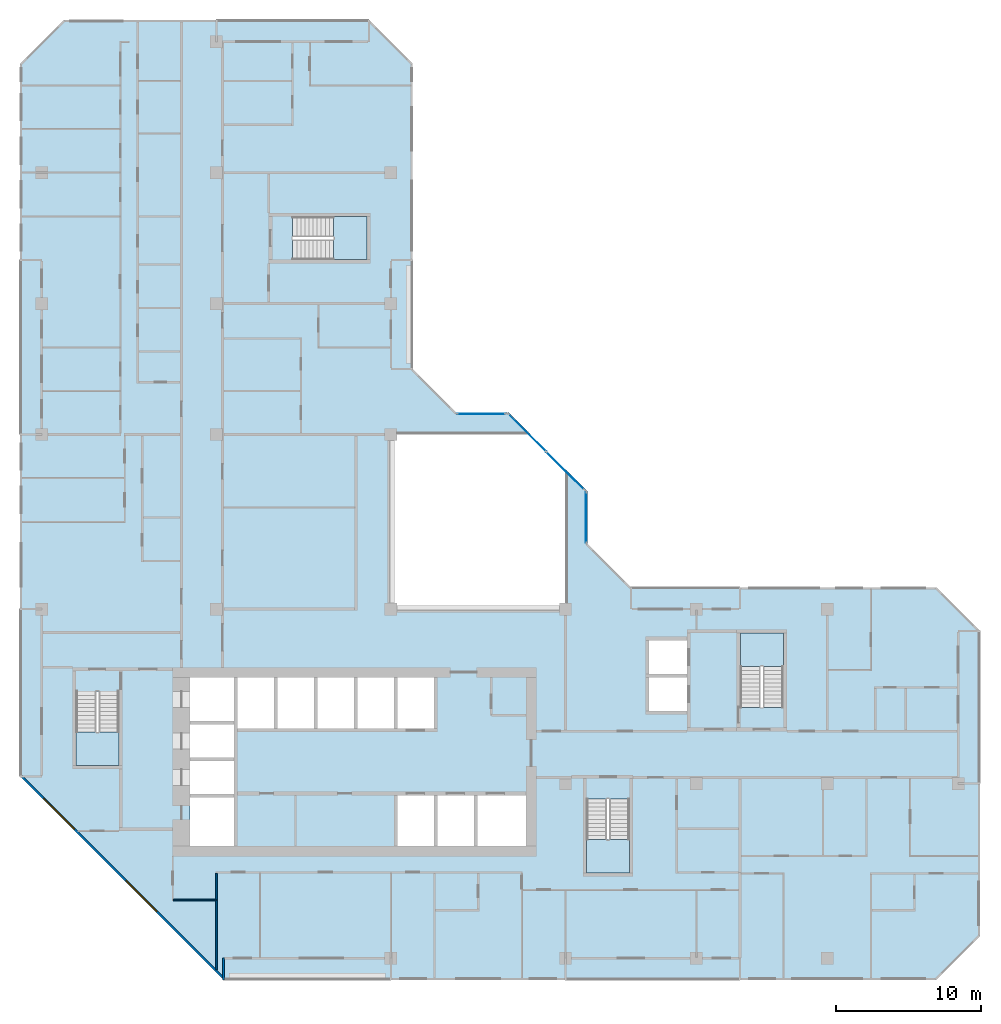
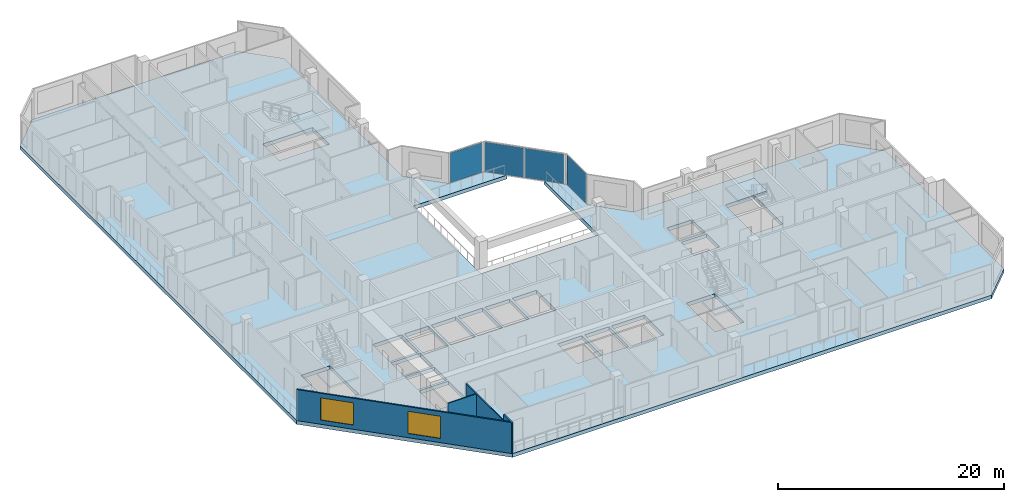
# One storey, part 3 of 15: 5 slabs, 4 plates, 4 walls, 2 windows, 2 openings, 7 elements without a shape of their own.
"""IFC4 building model written with IfcOpenShell, lengths in metres."""

from ifc_helpers import new_model, si_unit, direction, frame, frame_2d, origin, origin_2d, place, context, subcontext, project, spatial, polyline, rectangle, outline, extrude, material, layer, layer_set, type_object, element, fill, aggregate, save


model = new_model("IFC4")

# Units and contexts
model_context = context("Model", 3, precision=1e-05, world=origin(), true_north=direction((0.0, 1.0)))
body_context = subcontext(model_context, "Body", "Model", "MODEL_VIEW")
ifc_project = project(units=[si_unit("LENGTHUNIT", "METRE"), si_unit("AREAUNIT", "SQUARE_METRE"), si_unit("VOLUMEUNIT", "CUBIC_METRE"), si_unit("PLANEANGLEUNIT", "RADIAN"), si_unit("MASSUNIT", "GRAM", prefix="KILO")], contexts=[model_context])

# Site, building, storey
site_placement = place(None, origin())
site = spatial("IfcSite", under=ifc_project, at=site_placement, CompositionType="ELEMENT")
building_placement = place(site_placement, origin())
building = spatial("IfcBuilding", under=site, at=building_placement, Name="Chenar Terraces", CompositionType="ELEMENT")
storey_placement = place(building_placement, frame((0.0, 0.0, 215.39990234375)))
storey = spatial("IfcBuildingStorey", under=building, at=storey_placement, Name="L50", CompositionType="ELEMENT", Elevation=215.39990234375)

# Curtain wall, plate
ifc_material_1 = material(Name="Aluminium framed glazing", Category="aluminium")
ifc_layer_1 = layer(ifc_material_1, 0.14990234375)
ifc_layer_set_1 = layer_set([ifc_layer_1], Name="Aluminium framed glazing")
curtain_wall_type = type_object("IfcCurtainWallType", Name="Atrium mid-zone curtain wall", PredefinedType="NOTDEFINED", material=ifc_layer_set_1)
placement_1 = place(storey_placement, origin())
curtain_wall_1 = element("IfcCurtainWall", 1, at=placement_1, inside=storey, type_object=curtain_wall_type, Name="Atrium mid-zone curtain wall", PredefinedType="NOTDEFINED")
ifc_material_2 = material(Name="Low emissivity laminated glass, solar control coating", Category="glass")
ifc_layer_2 = layer(ifc_material_2, 0.031982421875)
ifc_layer_set_2 = layer_set([ifc_layer_2], Name="Low emissivity laminated glass, solar control coating")
plate_type = type_object("IfcPlateType", Name="Atrium mid-zone glazing panel 32", PredefinedType="CURTAIN_PANEL", material=ifc_layer_set_2)
plate_1_placement = place(storey_placement, frame((37.425048828125, 30.300048828125, 0.070068359375), z_axis=(0.0, 0.0, 1.0), x_axis=(0.0, 1.0, 0.0)))
plate_1 = element("IfcPlate", 2, at=plate_1_placement, type_object=plate_type, Name="CW7-1 panel 1.1", PredefinedType="CURTAIN_PANEL", context=body_context, shape_type="SweptSolid", body=[
    extrude(rectangle(XDim=3.4599609375, YDim=0.031982421875, at=origin_2d()), origin(), (0.0, 0.0, 1.0), 3.2099609375),
])
aggregate(curtain_wall_1, [plate_1])

# Curtain wall, plates
curtain_wall_2 = element("IfcCurtainWall", 3, at=placement_1, inside=storey, type_object=curtain_wall_type, Name="Atrium mid-zone curtain wall", PredefinedType="NOTDEFINED")
plate_2_placement = place(storey_placement, frame((35.978515625, 33.515380859375, 0.070068359375), z_axis=(0.0, 0.0, 1.0), x_axis=(-0.707106781187, 0.707106781187, 0.0)))
plate_2 = element("IfcPlate", 4, at=plate_2_placement, type_object=plate_type, Name="CW7-2 panel 1.1", PredefinedType="CURTAIN_PANEL", context=body_context, shape_type="SweptSolid", body=[
    extrude(rectangle(XDim=3.61328125, YDim=0.031982421875, at=origin_2d()), origin(), (0.0, 0.0, 1.0), 3.2099609375),
])
plate_3_placement = place(storey_placement, frame((33.3740234375, 36.119873046875, 0.070068359375), z_axis=(0.0, 0.0, 1.0), x_axis=(-0.707106781187, 0.707106781187, 0.0)))
plate_3 = element("IfcPlate", 5, at=plate_3_placement, type_object=plate_type, Name="CW7-2 panel 2.1", PredefinedType="CURTAIN_PANEL", context=body_context, shape_type="SweptSolid", body=[
    extrude(rectangle(XDim=3.61328125, YDim=0.031982421875, at=origin_2d()), origin(), (0.0, 0.0, 1.0), 3.2099609375),
])
aggregate(curtain_wall_2, [plate_2, plate_3])

# Curtain wall, plate
curtain_wall_3 = element("IfcCurtainWall", 6, at=placement_1, inside=storey, type_object=curtain_wall_type, Name="Atrium mid-zone curtain wall", PredefinedType="NOTDEFINED")
plate_4_placement = place(storey_placement, frame((30.199951171875, 37.425048828125, 0.070068359375), z_axis=(0.0, 0.0, 1.0), x_axis=(-1.0, 0.0, 0.0)))
plate_4 = element("IfcPlate", 7, at=plate_4_placement, type_object=plate_type, Name="CW7-3 panel 1.1", PredefinedType="CURTAIN_PANEL", context=body_context, shape_type="SweptSolid", body=[
    extrude(rectangle(XDim=3.260009765625, YDim=0.031982421875, at=origin_2d()), origin(), (0.0, 0.0, 1.0), 3.2099609375),
])
aggregate(curtain_wall_3, [plate_4])

# Stair, slab
ifc_material_3 = material(Name="Reinforced concrete C40/50", Category="concrete")
stair_type = type_object("IfcStairType", Name="Core stair 1400 half-turn", PredefinedType="HALF_TURN_STAIR", material=ifc_material_3)
stair_1 = element("IfcStair", 8, at=placement_1, inside=storey, type_object=stair_type, Name="L50 Stair 1", PredefinedType="HALF_TURN_STAIR")
ifc_material_4 = material(Name="Reinforced concrete C40/50", Category="concrete")
ifc_layer_3 = layer(ifc_material_4, 0.199951171875)
ifc_layer_set_3 = layer_set([ifc_layer_3], Name="Reinforced concrete C40/50")
slab_type_1 = type_object("IfcSlabType", Name="Core stair landing 200", PredefinedType="LANDING", material=ifc_layer_set_3)
placement_2 = place(storey_placement, frame((0.0, 0.0, 1.675048828125)))
slab_1 = element("IfcSlab", 9, at=placement_2, type_object=slab_type_1, Name="ST1 landing 1", PredefinedType="LANDING", context=body_context, shape_type="SweptSolid", body=[
    extrude(outline(polyline([(2.35009765625, 15.550048828125), (2.35009765625, 13.25), (5.300048828125, 13.25), (5.300048828125, 15.550048828125), (2.35009765625, 15.550048828125)])), origin(), (0.0, 0.0, 1.0), 0.199951171875),
])
aggregate(stair_1, [slab_1])

stair_2 = element("IfcStair", 10, at=placement_1, inside=storey, type_object=stair_type, Name="L50 Stair 2", PredefinedType="HALF_TURN_STAIR")
slab_2 = element("IfcSlab", 11, at=placement_2, type_object=slab_type_1, Name="ST2 landing 1", PredefinedType="LANDING", context=body_context, shape_type="SweptSolid", body=[
    extrude(outline(polyline([(37.449951171875, 8.14990234375), (37.449951171875, 5.85009765625), (40.39990234375, 5.85009765625), (40.39990234375, 8.14990234375), (37.449951171875, 8.14990234375)])), origin(), (0.0, 0.0, 1.0), 0.199951171875),
])
aggregate(stair_2, [slab_2])

stair_3 = element("IfcStair", 12, at=placement_1, inside=storey, type_object=stair_type, Name="L50 Stair 3", PredefinedType="HALF_TURN_STAIR")
slab_3 = element("IfcSlab", 13, at=placement_2, type_object=slab_type_1, Name="ST3 landing 1", PredefinedType="LANDING", context=body_context, shape_type="SweptSolid", body=[
    extrude(outline(polyline([(50.97509765625, 20.050048828125), (50.97509765625, 22.35009765625), (48.02490234375, 22.35009765625), (48.02490234375, 20.050048828125), (50.97509765625, 20.050048828125)])), origin(), (0.0, 0.0, 1.0), 0.199951171875),
])
aggregate(stair_3, [slab_3])

stair_4 = element("IfcStair", 14, at=placement_1, inside=storey, type_object=stair_type, Name="L50 Stair 4", PredefinedType="HALF_TURN_STAIR")
slab_4 = element("IfcSlab", 15, at=placement_2, type_object=slab_type_1, Name="ST4 landing 1", PredefinedType="LANDING", context=body_context, shape_type="SweptSolid", body=[
    extrude(outline(polyline([(20.050048828125, 48.02490234375), (22.35009765625, 48.02490234375), (22.35009765625, 50.97509765625), (20.050048828125, 50.97509765625), (20.050048828125, 48.02490234375)])), origin(), (0.0, 0.0, 1.0), 0.199951171875),
])
aggregate(stair_4, [slab_4])

# Slab
ifc_material_5 = material(Name="Concrete C40/50", Category="concrete")
ifc_layer_4 = layer(ifc_material_5, 0.39990234375)
ifc_layer_set_4 = layer_set([ifc_layer_4], Name="Concrete C40/50")
slab_type_2 = type_object("IfcSlabType", Name="Floor slab 400 Concrete C40/50", PredefinedType="FLOOR", material=ifc_layer_set_4)
slab_5_placement = place(storey_placement, frame((0.0, 0.0, -0.39990234375)))
element("IfcSlab", 16, at=slab_5_placement, inside=storey, type_object=slab_type_2, Name="Floor slab L50", PredefinedType="FLOOR", context=body_context, shape_type="SweptSolid", body=[
    extrude(outline(polyline([(64.5, 22.5), (64.5, 1.5), (61.5, -1.5), (12.5, -1.5), (-1.5, 12.5), (-1.5, 61.5), (1.5, 64.5), (22.5, 64.5), (25.5, 61.5), (25.5, 40.5), (28.5, 37.5), (32.10009765625, 37.5), (33.60009765625, 36.0), (24.0, 36.0), (24.0, 24.0), (36.0, 24.0), (36.0, 33.60009765625), (37.5, 32.10009765625), (37.5, 28.5), (40.5, 25.5), (61.5, 25.5), (64.5, 22.5)]), holes=[polyline([(13.199951171875, 11.050048828125), (10.199951171875, 11.050048828125), (10.199951171875, 7.699951171875), (13.199951171875, 7.699951171875), (13.199951171875, 11.050048828125)]), polyline([(13.199951171875, 13.550048828125), (10.199951171875, 13.550048828125), (10.199951171875, 11.300048828125), (13.199951171875, 11.300048828125), (13.199951171875, 13.550048828125)]), polyline([(13.199951171875, 16.050048828125), (10.199951171875, 16.050048828125), (10.199951171875, 13.800048828125), (13.199951171875, 13.800048828125), (13.199951171875, 16.050048828125)]), polyline([(2.35009765625, 13.25), (5.300048828125, 13.25), (5.300048828125, 18.35009765625), (2.35009765625, 18.35009765625), (2.35009765625, 13.25)]), polyline([(15.949951171875, 19.300048828125), (13.449951171875, 19.300048828125), (13.449951171875, 15.800048828125), (15.949951171875, 15.800048828125), (15.949951171875, 19.300048828125)]), polyline([(18.699951171875, 19.300048828125), (16.199951171875, 19.300048828125), (16.199951171875, 15.800048828125), (18.699951171875, 15.800048828125), (18.699951171875, 19.300048828125)]), polyline([(21.449951171875, 19.300048828125), (18.949951171875, 19.300048828125), (18.949951171875, 15.800048828125), (21.449951171875, 15.800048828125), (21.449951171875, 19.300048828125)]), polyline([(24.199951171875, 15.800048828125), (24.199951171875, 19.300048828125), (21.699951171875, 19.300048828125), (21.699951171875, 15.800048828125), (24.199951171875, 15.800048828125)]), polyline([(13.199951171875, 16.300048828125), (13.199951171875, 19.300048828125), (10.199951171875, 19.300048828125), (10.199951171875, 16.300048828125), (13.199951171875, 16.300048828125)]), polyline([(22.35009765625, 48.02490234375), (22.35009765625, 50.97509765625), (17.25, 50.97509765625), (17.25, 48.02490234375), (22.35009765625, 48.02490234375)]), polyline([(37.449951171875, 5.85009765625), (40.39990234375, 5.85009765625), (40.39990234375, 10.949951171875), (37.449951171875, 10.949951171875), (37.449951171875, 5.85009765625)]), polyline([(26.949951171875, 11.199951171875), (24.449951171875, 11.199951171875), (24.449951171875, 7.699951171875), (26.949951171875, 7.699951171875), (26.949951171875, 11.199951171875)]), polyline([(29.699951171875, 7.699951171875), (29.699951171875, 11.199951171875), (27.199951171875, 11.199951171875), (27.199951171875, 7.699951171875), (29.699951171875, 7.699951171875)]), polyline([(33.300048828125, 7.699951171875), (33.300048828125, 11.199951171875), (29.949951171875, 11.199951171875), (29.949951171875, 7.699951171875), (33.300048828125, 7.699951171875)]), polyline([(26.949951171875, 19.300048828125), (24.449951171875, 19.300048828125), (24.449951171875, 15.800048828125), (26.949951171875, 15.800048828125), (26.949951171875, 19.300048828125)]), polyline([(44.35009765625, 19.300048828125), (41.75, 19.300048828125), (41.75, 17.0), (44.35009765625, 17.0), (44.35009765625, 19.300048828125)]), polyline([(50.97509765625, 22.35009765625), (48.02490234375, 22.35009765625), (48.02490234375, 17.25), (50.97509765625, 17.25), (50.97509765625, 22.35009765625)]), polyline([(44.35009765625, 19.550048828125), (44.35009765625, 21.85009765625), (41.75, 21.85009765625), (41.75, 19.550048828125), (44.35009765625, 19.550048828125)])]), origin(), (0.0, 0.0, 1.0), 0.39990234375),
])

# Walls
ifc_material_6 = material(Name="Gypsum board on steel studs", Category="steel")
ifc_layer_5 = layer(ifc_material_6, 0.10009765625)
ifc_layer_set_5 = layer_set([ifc_layer_5], Name="Gypsum board on steel studs")
wall_type_1 = type_object("IfcWallType", Name="Gypsum partition 100", PredefinedType="PARTITIONING", material=ifc_layer_set_5)
wall_1_placement = place(storey_placement, frame((9.050048828125, 4.0, 0.0), z_axis=(0.0, 0.0, 1.0), x_axis=(1.0, 0.0, 0.0)))
element("IfcWall", 17, at=wall_1_placement, inside=storey, type_object=wall_type_1, Name="Partition L50-029", PredefinedType="PARTITIONING", context=body_context, shape_type="SweptSolid", body=[
    extrude(rectangle(XDim=2.89990234375, YDim=0.10009765625, at=frame_2d((1.449951171875, 0.0))), origin(), (0.0, 0.0, 1.0), 3.35009765625),
])
wall_2_placement = place(storey_placement, frame((12.0, -0.787841796875, 0.0), z_axis=(0.0, 0.0, 1.0), x_axis=(0.0, 1.0, 0.0)))
element("IfcWall", 18, at=wall_2_placement, inside=storey, type_object=wall_type_1, Name="Partition L50-032", PredefinedType="PARTITIONING", context=body_context, shape_type="SweptSolid", body=[
    extrude(rectangle(XDim=6.61279296875, YDim=0.10009765625, at=frame_2d((3.306396484375, 0.0))), origin(), (0.0, 0.0, 1.0), 3.35009765625),
])
ifc_material_7 = material(Name="Terracotta cladding on insulated backing", Category="masonry")
ifc_layer_6 = layer(ifc_material_7, 0.14990234375)
ifc_layer_set_6 = layer_set([ifc_layer_6], Name="Terracotta cladding on insulated backing")
wall_type_2 = type_object("IfcWallType", Name="Loggia return wall 150", PredefinedType="SOLIDWALL", material=ifc_layer_set_6)
wall_3_placement = place(storey_placement, frame((12.5, -1.5, 0.0), z_axis=(0.0, 0.0, 1.0), x_axis=(0.0, 1.0, 0.0)))
element("IfcWall", 19, at=wall_3_placement, inside=storey, type_object=wall_type_2, Name="Loggia return wall", PredefinedType="SOLIDWALL", context=body_context, shape_type="SweptSolid", body=[
    extrude(rectangle(XDim=1.5, YDim=0.14990234375, at=frame_2d((0.75, 0.0))), origin(), (0.0, 0.0, 1.0), 3.35009765625),
])

# Wall, openings, windows
ifc_material_8 = material(Name="Terracotta cladding on insulated backing", Category="masonry")
ifc_layer_7 = layer(ifc_material_8, 0.14990234375)
ifc_layer_set_7 = layer_set([ifc_layer_7], Name="Terracotta cladding on insulated backing")
wall_type_3 = type_object("IfcWallType", Name="Terracotta rainscreen wall 150", PredefinedType="SOLIDWALL", material=ifc_layer_set_7)
wall_4_placement = place(storey_placement, frame((-1.447021484375, 12.552978515625, 0.0), z_axis=(0.0, 0.0, 1.0), x_axis=(0.707106781187, -0.707106781187, 0.0)))
wall_4 = element("IfcWall", 20, at=wall_4_placement, inside=storey, type_object=wall_type_3, Name="Terracotta rainscreen wall", PredefinedType="SOLIDWALL", context=body_context, shape_type="SweptSolid", body=[
    extrude(rectangle(XDim=19.799072265625, YDim=0.14990234375, at=frame_2d((9.8994140625, 0.0))), origin(), (0.0, 0.0, 1.0), 3.35009765625),
])
opening_1_placement = place(wall_4_placement, frame((2.21240234375, 0.0, 0.449951171875)))
opening_1 = element("IfcOpeningElement", 21, at=opening_1_placement, cuts=wall_4, Name="Opening W300x240", PredefinedType="OPENING", context=body_context, shape_type="SweptSolid", body=[
    extrude(rectangle(XDim=3.0, YDim=2.39990234375, at=frame_2d((1.5, 1.199951171875))), frame((0.0, 0.0849609375, 0.0), z_axis=(0.0, -1.0, 0.0), x_axis=(1.0, 0.0, 0.0)), (0.0, 0.0, 1.0), 0.169921875),
])
opening_2_placement = place(wall_4_placement, frame((10.215576171875, 0.0, 0.449951171875)))
opening_2 = element("IfcOpeningElement", 22, at=opening_2_placement, cuts=wall_4, Name="Opening W300x240", PredefinedType="OPENING", context=body_context, shape_type="SweptSolid", body=[
    extrude(rectangle(XDim=3.0, YDim=2.39990234375, at=frame_2d((1.5, 1.199951171875))), frame((0.0, 0.0849609375, 0.0), z_axis=(0.0, -1.0, 0.0), x_axis=(1.0, 0.0, 0.0)), (0.0, 0.0, 1.0), 0.169921875),
])
ifc_material_9 = material(Name="Low emissivity double glazing, aluminium frame", Category="aluminium")
window_type = type_object("IfcWindowType", Name="Fixed light 3000 x 2400", PartitioningType="SINGLE_PANEL", PredefinedType="WINDOW", material=ifc_material_9)
window_1_placement = place(opening_1_placement, origin())
window_1 = element("IfcWindow", 23, at=window_1_placement, inside=storey, type_object=window_type, Name="Window", OverallHeight=2.39990234375, OverallWidth=3.0, PartitioningType="SINGLE_PANEL", PredefinedType="WINDOW", context=body_context, shape_type="SweptSolid", body=[
    extrude(rectangle(XDim=3.0, YDim=2.39990234375, at=frame_2d((1.5, 1.199951171875))), frame((0.0, 0.030029296875, 0.0), z_axis=(0.0, -1.0, 0.0), x_axis=(1.0, 0.0, 0.0)), (0.0, 0.0, 1.0), 0.06005859375),
])
fill(opening_1, window_1)
window_2_placement = place(opening_2_placement, origin())
window_2 = element("IfcWindow", 24, at=window_2_placement, inside=storey, type_object=window_type, Name="Window", OverallHeight=2.39990234375, OverallWidth=3.0, PartitioningType="SINGLE_PANEL", PredefinedType="WINDOW", context=body_context, shape_type="SweptSolid", body=[
    extrude(rectangle(XDim=3.0, YDim=2.39990234375, at=frame_2d((1.5, 1.199951171875))), frame((0.0, 0.030029296875, 0.0), z_axis=(0.0, -1.0, 0.0), x_axis=(1.0, 0.0, 0.0)), (0.0, 0.0, 1.0), 0.06005859375),
])
fill(opening_2, window_2)

save(model, "model.ifc")
